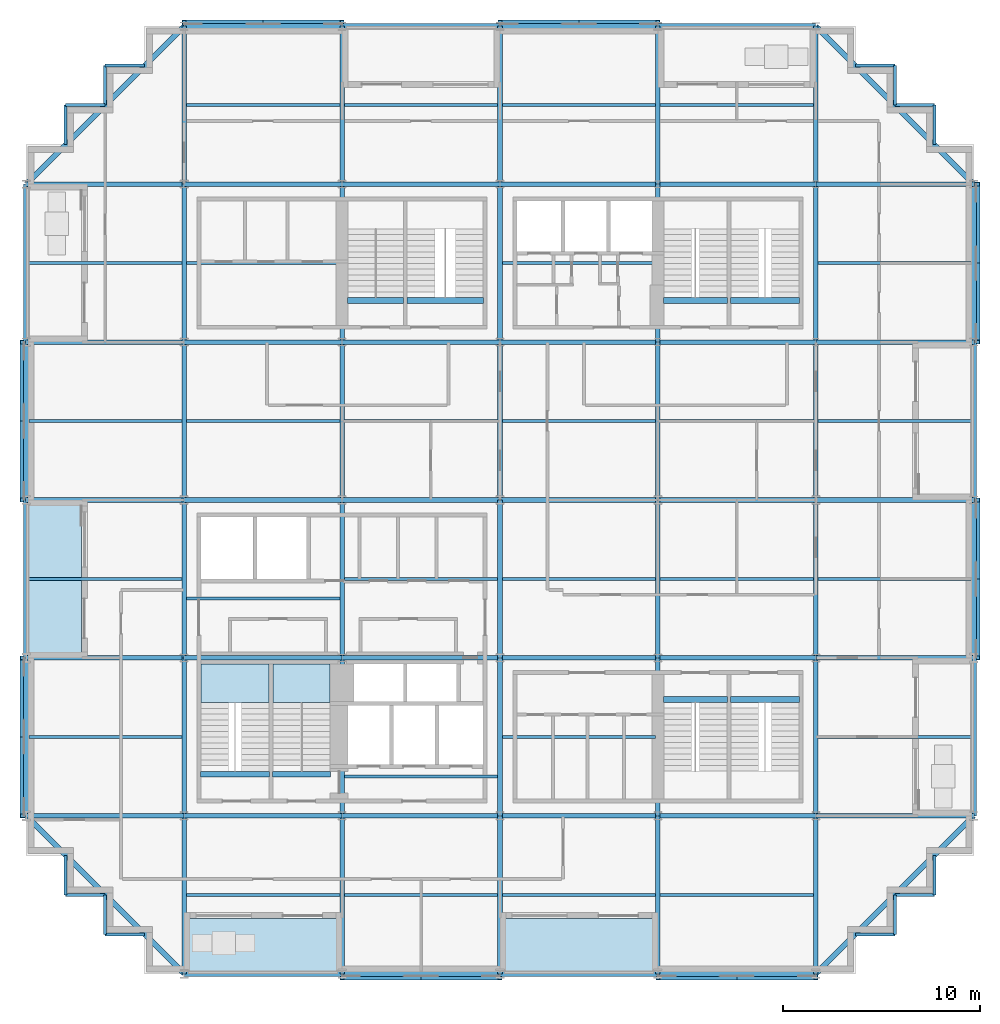
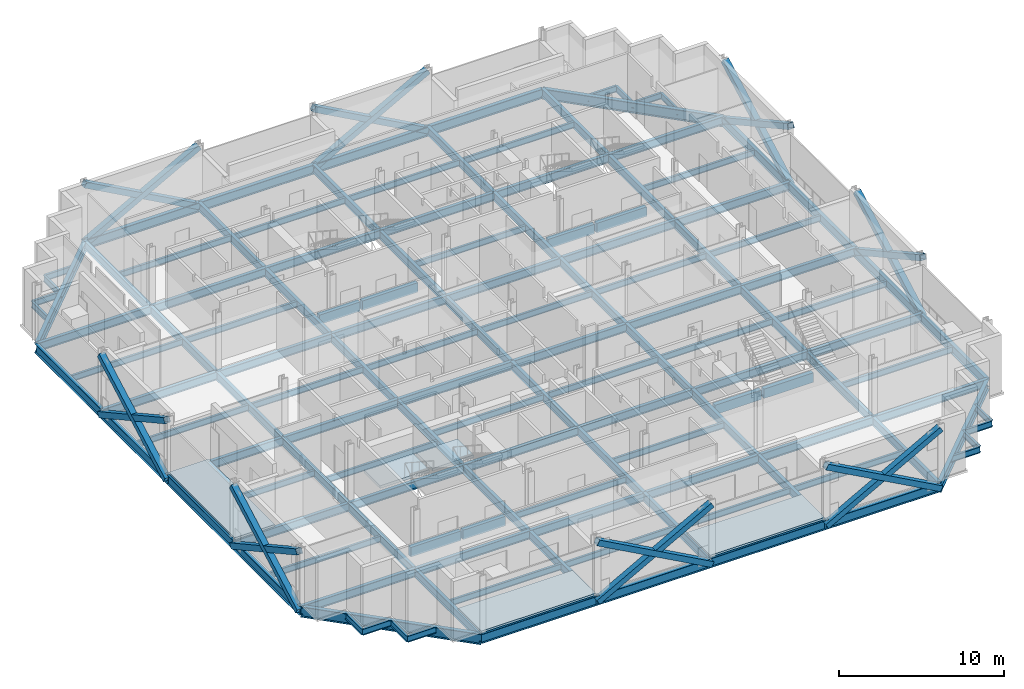
# One storey, part 4 of 15: 132 beams, 16 members, 5 slabs, 2 elements without a shape of their own.
"""IFC4 building model written with IfcOpenShell, lengths in metres."""

from ifc_helpers import new_model, si_unit, direction, frame, origin, origin_2d, place, context, subcontext, project, spatial, polyline, rectangle, hollow_rectangle, i_section, outline, extrude, material, layer, layer_set, material_profile, profile_set, type_object, element, aggregate, save


model = new_model("IFC4")

# Units and contexts
model_context = context("Model", 3, precision=1e-05, world=origin(), true_north=direction((0.0, 1.0)))
body_context = subcontext(model_context, "Body", "Model", "MODEL_VIEW")
ifc_project = project(units=[si_unit("LENGTHUNIT", "METRE"), si_unit("AREAUNIT", "SQUARE_METRE"), si_unit("VOLUMEUNIT", "CUBIC_METRE"), si_unit("PLANEANGLEUNIT", "RADIAN"), si_unit("MASSUNIT", "GRAM", prefix="KILO")], contexts=[model_context])

# Site, building, storey
site_placement = place(None, origin())
site = spatial("IfcSite", under=ifc_project, at=site_placement, CompositionType="ELEMENT")
building_placement = place(site_placement, origin())
building = spatial("IfcBuilding", under=site, at=building_placement, Name="Immortelle Media Tower", CompositionType="ELEMENT")
storey_placement = place(building_placement, frame((0.0, 0.0, 87.60009765625)))
storey = spatial("IfcBuildingStorey", under=building, at=storey_placement, Name="L16", CompositionType="ELEMENT", Elevation=87.60009765625)

# Members
ifc_material_1 = material(Name="Steel ASTM A500 Gr C", Category="steel")
ifc_material_profile_1 = material_profile(ifc_material_1, hollow_rectangle(XDim=0.406005859375, YDim=0.406005859375, WallThickness=0.014892578125, at=origin_2d()), Name="HSS16x16x5/8 brace")
ifc_profile_set_1 = profile_set([ifc_material_profile_1], Name="Steel ASTM A500 Gr C")
member_type = type_object("IfcMemberType", Name="HSS16x16x5/8 brace", PredefinedType="BRACE", material=ifc_profile_set_1)
for number, where, z_axis, x_axis, name in (
    (1, (-0.113037109375, 32.0, -0.49658203125), (0.0, -0.876220425204, 0.481910537812), (1.0, 0.0, 0.0), "Brace 1/D-E A"),
    (2, (-0.113037109375, 32.0, 3.9033203125), (0.0, -0.876220425204, -0.481910537812), (1.0, 0.0, 0.0), "Brace 1/D-E B"),
    (3, (-0.113037109375, 16.0, -0.49658203125), (0.0, -0.876220425204, 0.481910537812), (1.0, 0.0, 0.0), "Brace 1/B-C A"),
    (4, (-0.113037109375, 16.0, 3.9033203125), (0.0, -0.876220425204, -0.481910537812), (1.0, 0.0, 0.0), "Brace 1/B-C B"),
    (5, (16.0, -0.113037109375, -0.49658203125), (0.876220425204, 0.0, 0.481910537812), (0.0, 1.0, 0.0), "Brace A/3-4 A"),
    (6, (16.0, -0.113037109375, 3.9033203125), (0.876220425204, 0.0, -0.481910537812), (0.0, 1.0, 0.0), "Brace A/3-4 B"),
    (7, (32.0, -0.113037109375, -0.49658203125), (0.876220425204, 0.0, 0.481910537812), (0.0, 1.0, 0.0), "Brace A/5-6 A"),
    (8, (32.0, -0.113037109375, 3.9033203125), (0.876220425204, 0.0, -0.481910537812), (0.0, 1.0, 0.0), "Brace A/5-6 B"),
    (9, (48.113037109375, 16.0, -0.49658203125), (0.0, 0.876220425204, 0.481910537812), (-1.0, 0.0, 0.0), "Brace 7/C-D A"),
    (10, (48.113037109375, 16.0, 3.9033203125), (0.0, 0.876220425204, -0.481910537812), (-1.0, 0.0, 0.0), "Brace 7/C-D B"),
    (11, (48.113037109375, 32.0, -0.49658203125), (0.0, 0.876220425204, 0.481910537812), (-1.0, 0.0, 0.0), "Brace 7/E-F A"),
    (12, (48.113037109375, 32.0, 3.9033203125), (0.0, 0.876220425204, -0.481910537812), (-1.0, 0.0, 0.0), "Brace 7/E-F B"),
    (13, (32.0, 48.113037109375, -0.49658203125), (-0.876220425204, 0.0, 0.481910537812), (0.0, -1.0, 0.0), "Brace G/4-5 A"),
    (14, (32.0, 48.113037109375, 3.9033203125), (-0.876220425204, 0.0, -0.481910537812), (0.0, -1.0, 0.0), "Brace G/4-5 B"),
    (15, (16.0, 48.113037109375, -0.49658203125), (-0.876220425204, 0.0, 0.481910537812), (0.0, -1.0, 0.0), "Brace G/2-3 A"),
    (16, (16.0, 48.113037109375, 3.9033203125), (-0.876220425204, 0.0, -0.481910537812), (0.0, -1.0, 0.0), "Brace G/2-3 B"),
):
    element("IfcMember", number, at=place(storey_placement, frame(where, z_axis=z_axis, x_axis=x_axis)), inside=storey, type_object=member_type, Name=name, PredefinedType="BRACE", context=body_context, shape_type="SweptSolid", body=[
        extrude(hollow_rectangle(XDim=0.406005859375, YDim=0.406005859375, WallThickness=0.014892578125, at=origin_2d()), origin(), (0.0, 0.0, 1.0), 9.130126953125),
    ])

# Beams
ifc_material_2 = material(Name="Concrete C50/60", Category="concrete")
ifc_material_profile_2 = material_profile(ifc_material_2, rectangle(XDim=0.300048828125, YDim=0.699951171875, at=origin_2d()), Name="RC 300x700")
ifc_profile_set_2 = profile_set([ifc_material_profile_2], Name="Concrete C50/60")
beam_type_1 = type_object("IfcBeamType", Name="Stair trimmer beam 300 x 700", PredefinedType="BEAM", material=ifc_profile_set_2)
beam_1_placement = place(storey_placement, frame((8.830078125, 10.10498046875, -0.5), z_axis=(1.0, 0.0, 0.0), x_axis=(0.0, 1.0, 0.0)))
element("IfcBeam", 17, at=beam_1_placement, inside=storey, type_object=beam_type_1, Name="Stair trimmer beam SW1", PredefinedType="BEAM", context=body_context, shape_type="SweptSolid", body=[
    extrude(rectangle(XDim=0.300048828125, YDim=0.699951171875, at=origin_2d()), origin(), (0.0, 0.0, 1.0), 3.489990234375),
])
beam_2_placement = place(storey_placement, frame((12.47998046875, 10.10498046875, -0.5), z_axis=(1.0, 0.0, 0.0), x_axis=(0.0, 1.0, 0.0)))
element("IfcBeam", 18, at=beam_2_placement, inside=storey, type_object=beam_type_1, Name="Stair trimmer beam SW2", PredefinedType="BEAM", context=body_context, shape_type="SweptSolid", body=[
    extrude(rectangle(XDim=0.300048828125, YDim=0.699951171875, at=origin_2d()), origin(), (0.0, 0.0, 1.0), 2.93994140625),
])
beam_3_placement = place(storey_placement, frame((32.280029296875, 13.89501953125, -0.5), z_axis=(1.0, 0.0, 0.0), x_axis=(0.0, 1.0, 0.0)))
element("IfcBeam", 19, at=beam_3_placement, inside=storey, type_object=beam_type_1, Name="Stair trimmer beam SE1", PredefinedType="BEAM", context=body_context, shape_type="SweptSolid", body=[
    extrude(rectangle(XDim=0.300048828125, YDim=0.699951171875, at=origin_2d()), origin(), (0.0, 0.0, 1.0), 3.239990234375),
])
beam_4_placement = place(storey_placement, frame((35.679931640625, 13.89501953125, -0.5), z_axis=(1.0, 0.0, 0.0), x_axis=(0.0, 1.0, 0.0)))
element("IfcBeam", 20, at=beam_4_placement, inside=storey, type_object=beam_type_1, Name="Stair trimmer beam SE2", PredefinedType="BEAM", context=body_context, shape_type="SweptSolid", body=[
    extrude(rectangle(XDim=0.300048828125, YDim=0.699951171875, at=origin_2d()), origin(), (0.0, 0.0, 1.0), 3.489990234375),
])
beam_5_placement = place(storey_placement, frame((16.280029296875, 34.10498046875, -0.5), z_axis=(1.0, 0.0, 0.0), x_axis=(0.0, 1.0, 0.0)))
element("IfcBeam", 21, at=beam_5_placement, inside=storey, type_object=beam_type_1, Name="Stair trimmer beam NW1", PredefinedType="BEAM", context=body_context, shape_type="SweptSolid", body=[
    extrude(rectangle(XDim=0.300048828125, YDim=0.699951171875, at=origin_2d()), origin(), (0.0, 0.0, 1.0), 2.840087890625),
])
beam_6_placement = place(storey_placement, frame((19.280029296875, 34.10498046875, -0.5), z_axis=(1.0, 0.0, 0.0), x_axis=(0.0, 1.0, 0.0)))
element("IfcBeam", 22, at=beam_6_placement, inside=storey, type_object=beam_type_1, Name="Stair trimmer beam NW2", PredefinedType="BEAM", context=body_context, shape_type="SweptSolid", body=[
    extrude(rectangle(XDim=0.300048828125, YDim=0.699951171875, at=origin_2d()), origin(), (0.0, 0.0, 1.0), 3.889892578125),
])
beam_7_placement = place(storey_placement, frame((32.280029296875, 34.10498046875, -0.5), z_axis=(1.0, 0.0, 0.0), x_axis=(0.0, 1.0, 0.0)))
element("IfcBeam", 23, at=beam_7_placement, inside=storey, type_object=beam_type_1, Name="Stair trimmer beam NE1", PredefinedType="BEAM", context=body_context, shape_type="SweptSolid", body=[
    extrude(rectangle(XDim=0.300048828125, YDim=0.699951171875, at=origin_2d()), origin(), (0.0, 0.0, 1.0), 3.239990234375),
])
beam_8_placement = place(storey_placement, frame((35.679931640625, 34.10498046875, -0.5), z_axis=(1.0, 0.0, 0.0), x_axis=(0.0, 1.0, 0.0)))
element("IfcBeam", 24, at=beam_8_placement, inside=storey, type_object=beam_type_1, Name="Stair trimmer beam NE2", PredefinedType="BEAM", context=body_context, shape_type="SweptSolid", body=[
    extrude(rectangle(XDim=0.300048828125, YDim=0.699951171875, at=origin_2d()), origin(), (0.0, 0.0, 1.0), 3.489990234375),
])
ifc_material_3 = material(Name="Steel ASTM A992 Gr 50", Category="steel")
ifc_material_profile_3 = material_profile(ifc_material_3, i_section(OverallWidth=0.153076171875, OverallDepth=0.455078125, WebThickness=0.008056640625, FlangeThickness=0.012939453125, at=origin_2d()), Name="W18x40")
ifc_profile_set_3 = profile_set([ifc_material_profile_3], Name="Steel ASTM A992 Gr 50")
beam_type_2 = type_object("IfcBeamType", Name="W18x40 secondary beam", PredefinedType="JOIST", material=ifc_profile_set_3)
for number, where, z_axis, x_axis, name in (
    (25, (8.114501953125, 4.0, -0.377685546875), (1.0, 0.0, 0.0), (0.0, 1.0, 0.0), "Beam A-B/2-3"),
    (26, (16.114501953125, 4.0, -0.377685546875), (1.0, 0.0, 0.0), (0.0, 1.0, 0.0), "Beam A-B/3-4"),
    (27, (24.114501953125, 4.0, -0.377685546875), (1.0, 0.0, 0.0), (0.0, 1.0, 0.0), "Beam A-B/4-5"),
    (28, (32.114501953125, 4.0, -0.377685546875), (1.0, 0.0, 0.0), (0.0, 1.0, 0.0), "Beam A-B/5-6"),
):
    element("IfcBeam", number, at=place(storey_placement, frame(where, z_axis=z_axis, x_axis=x_axis)), inside=storey, type_object=beam_type_2, Name=name, PredefinedType="JOIST", context=body_context, shape_type="SweptSolid", body=[
        extrude(i_section(OverallWidth=0.153076171875, OverallDepth=0.455078125, WebThickness=0.008056640625, FlangeThickness=0.012939453125, at=origin_2d()), origin(), (0.0, 0.0, 1.0), 7.77099609375),
    ])
beam_9_placement = place(storey_placement, frame((0.12841796875, 12.0, -0.377685546875), z_axis=(1.0, 0.0, 0.0), x_axis=(0.0, 1.0, 0.0)))
element("IfcBeam", 29, at=beam_9_placement, inside=storey, type_object=beam_type_2, Name="Beam B-C/1-2", PredefinedType="JOIST", context=body_context, shape_type="SweptSolid", body=[
    extrude(i_section(OverallWidth=0.153076171875, OverallDepth=0.455078125, WebThickness=0.008056640625, FlangeThickness=0.012939453125, at=origin_2d()), origin(), (0.0, 0.0, 1.0), 7.757080078125),
])
for number, where, z_axis, x_axis, name in (
    (30, (16.114501953125, 10.0, -0.377685546875), (1.0, 0.0, 0.0), (0.0, 1.0, 0.0), "Beam B-C/3-4"),
    (31, (24.114501953125, 12.0, -0.377685546875), (1.0, 0.0, 0.0), (0.0, 1.0, 0.0), "Beam B-C/4-5"),
):
    element("IfcBeam", number, at=place(storey_placement, frame(where, z_axis=z_axis, x_axis=x_axis)), inside=storey, type_object=beam_type_2, Name=name, PredefinedType="JOIST", context=body_context, shape_type="SweptSolid", body=[
        extrude(i_section(OverallWidth=0.153076171875, OverallDepth=0.455078125, WebThickness=0.008056640625, FlangeThickness=0.012939453125, at=origin_2d()), origin(), (0.0, 0.0, 1.0), 7.77099609375),
    ])
for number, where, z_axis, x_axis, name in (
    (32, (40.114501953125, 12.0, -0.377685546875), (1.0, 0.0, 0.0), (0.0, 1.0, 0.0), "Beam B-C/6-7"),
    (33, (0.12841796875, 20.0, -0.377685546875), (1.0, 0.0, 0.0), (0.0, 1.0, 0.0), "Beam C-D/1-2"),
):
    element("IfcBeam", number, at=place(storey_placement, frame(where, z_axis=z_axis, x_axis=x_axis)), inside=storey, type_object=beam_type_2, Name=name, PredefinedType="JOIST", context=body_context, shape_type="SweptSolid", body=[
        extrude(i_section(OverallWidth=0.153076171875, OverallDepth=0.455078125, WebThickness=0.008056640625, FlangeThickness=0.012939453125, at=origin_2d()), origin(), (0.0, 0.0, 1.0), 7.757080078125),
    ])
for number, where, z_axis, x_axis, name in (
    (34, (8.114501953125, 19.0, -0.377685546875), (1.0, 0.0, 0.0), (0.0, 1.0, 0.0), "Beam C-D/2-3"),
    (35, (16.114501953125, 20.0, -0.377685546875), (1.0, 0.0, 0.0), (0.0, 1.0, 0.0), "Beam C-D/3-4"),
    (36, (24.114501953125, 20.0, -0.377685546875), (1.0, 0.0, 0.0), (0.0, 1.0, 0.0), "Beam C-D/4-5"),
    (37, (32.114501953125, 20.0, -0.377685546875), (1.0, 0.0, 0.0), (0.0, 1.0, 0.0), "Beam C-D/5-6"),
):
    element("IfcBeam", number, at=place(storey_placement, frame(where, z_axis=z_axis, x_axis=x_axis)), inside=storey, type_object=beam_type_2, Name=name, PredefinedType="JOIST", context=body_context, shape_type="SweptSolid", body=[
        extrude(i_section(OverallWidth=0.153076171875, OverallDepth=0.455078125, WebThickness=0.008056640625, FlangeThickness=0.012939453125, at=origin_2d()), origin(), (0.0, 0.0, 1.0), 7.77099609375),
    ])
for number, where, z_axis, x_axis, name in (
    (38, (40.114501953125, 20.0, -0.377685546875), (1.0, 0.0, 0.0), (0.0, 1.0, 0.0), "Beam C-D/6-7"),
    (39, (0.12841796875, 28.0, -0.377685546875), (1.0, 0.0, 0.0), (0.0, 1.0, 0.0), "Beam D-E/1-2"),
):
    element("IfcBeam", number, at=place(storey_placement, frame(where, z_axis=z_axis, x_axis=x_axis)), inside=storey, type_object=beam_type_2, Name=name, PredefinedType="JOIST", context=body_context, shape_type="SweptSolid", body=[
        extrude(i_section(OverallWidth=0.153076171875, OverallDepth=0.455078125, WebThickness=0.008056640625, FlangeThickness=0.012939453125, at=origin_2d()), origin(), (0.0, 0.0, 1.0), 7.757080078125),
    ])
for number, where, z_axis, x_axis, name in (
    (40, (8.114501953125, 28.0, -0.377685546875), (1.0, 0.0, 0.0), (0.0, 1.0, 0.0), "Beam D-E/2-3"),
    (41, (16.114501953125, 28.0, -0.377685546875), (1.0, 0.0, 0.0), (0.0, 1.0, 0.0), "Beam D-E/3-4"),
    (42, (24.114501953125, 28.0, -0.377685546875), (1.0, 0.0, 0.0), (0.0, 1.0, 0.0), "Beam D-E/4-5"),
    (43, (32.114501953125, 28.0, -0.377685546875), (1.0, 0.0, 0.0), (0.0, 1.0, 0.0), "Beam D-E/5-6"),
):
    element("IfcBeam", number, at=place(storey_placement, frame(where, z_axis=z_axis, x_axis=x_axis)), inside=storey, type_object=beam_type_2, Name=name, PredefinedType="JOIST", context=body_context, shape_type="SweptSolid", body=[
        extrude(i_section(OverallWidth=0.153076171875, OverallDepth=0.455078125, WebThickness=0.008056640625, FlangeThickness=0.012939453125, at=origin_2d()), origin(), (0.0, 0.0, 1.0), 7.77099609375),
    ])
for number, where, z_axis, x_axis, name in (
    (44, (40.114501953125, 28.0, -0.377685546875), (1.0, 0.0, 0.0), (0.0, 1.0, 0.0), "Beam D-E/6-7"),
    (45, (0.12841796875, 36.0, -0.377685546875), (1.0, 0.0, 0.0), (0.0, 1.0, 0.0), "Beam E-F/1-2"),
):
    element("IfcBeam", number, at=place(storey_placement, frame(where, z_axis=z_axis, x_axis=x_axis)), inside=storey, type_object=beam_type_2, Name=name, PredefinedType="JOIST", context=body_context, shape_type="SweptSolid", body=[
        extrude(i_section(OverallWidth=0.153076171875, OverallDepth=0.455078125, WebThickness=0.008056640625, FlangeThickness=0.012939453125, at=origin_2d()), origin(), (0.0, 0.0, 1.0), 7.757080078125),
    ])
for number, where, z_axis, x_axis, name in (
    (46, (8.114501953125, 36.0, -0.377685546875), (1.0, 0.0, 0.0), (0.0, 1.0, 0.0), "Beam E-F/2-3"),
    (47, (24.114501953125, 36.0, -0.377685546875), (1.0, 0.0, 0.0), (0.0, 1.0, 0.0), "Beam E-F/4-5"),
):
    element("IfcBeam", number, at=place(storey_placement, frame(where, z_axis=z_axis, x_axis=x_axis)), inside=storey, type_object=beam_type_2, Name=name, PredefinedType="JOIST", context=body_context, shape_type="SweptSolid", body=[
        extrude(i_section(OverallWidth=0.153076171875, OverallDepth=0.455078125, WebThickness=0.008056640625, FlangeThickness=0.012939453125, at=origin_2d()), origin(), (0.0, 0.0, 1.0), 7.77099609375),
    ])
beam_10_placement = place(storey_placement, frame((40.114501953125, 36.0, -0.377685546875), z_axis=(1.0, 0.0, 0.0), x_axis=(0.0, 1.0, 0.0)))
element("IfcBeam", 48, at=beam_10_placement, inside=storey, type_object=beam_type_2, Name="Beam E-F/6-7", PredefinedType="JOIST", context=body_context, shape_type="SweptSolid", body=[
    extrude(i_section(OverallWidth=0.153076171875, OverallDepth=0.455078125, WebThickness=0.008056640625, FlangeThickness=0.012939453125, at=origin_2d()), origin(), (0.0, 0.0, 1.0), 7.757080078125),
])
for number, where, z_axis, x_axis, name in (
    (49, (8.114501953125, 44.0, -0.377685546875), (1.0, 0.0, 0.0), (0.0, 1.0, 0.0), "Beam F-G/2-3"),
    (50, (16.114501953125, 44.0, -0.377685546875), (1.0, 0.0, 0.0), (0.0, 1.0, 0.0), "Beam F-G/3-4"),
    (51, (24.114501953125, 44.0, -0.377685546875), (1.0, 0.0, 0.0), (0.0, 1.0, 0.0), "Beam F-G/4-5"),
    (52, (32.114501953125, 44.0, -0.377685546875), (1.0, 0.0, 0.0), (0.0, 1.0, 0.0), "Beam F-G/5-6"),
):
    element("IfcBeam", number, at=place(storey_placement, frame(where, z_axis=z_axis, x_axis=x_axis)), inside=storey, type_object=beam_type_2, Name=name, PredefinedType="JOIST", context=body_context, shape_type="SweptSolid", body=[
        extrude(i_section(OverallWidth=0.153076171875, OverallDepth=0.455078125, WebThickness=0.008056640625, FlangeThickness=0.012939453125, at=origin_2d()), origin(), (0.0, 0.0, 1.0), 7.77099609375),
    ])
ifc_material_profile_4 = material_profile(ifc_material_3, i_section(OverallWidth=0.153076171875, OverallDepth=0.455078125, WebThickness=0.008056640625, FlangeThickness=0.012939453125, at=origin_2d()), Name="W18x40")
ifc_profile_set_4 = profile_set([ifc_material_profile_4], Name="Steel ASTM A992 Gr 50")
beam_type_3 = type_object("IfcBeamType", Name="W18x40 serration edge beam", PredefinedType="SPANDREL", material=ifc_profile_set_4)
for number, where, z_axis, x_axis, name in (
    (53, (6.0, 2.0, -0.377685546875), (-1.0, 0.0, 0.0), (0.0, -1.0, 0.0), "Corner edge beam 1 at 1/A"),
    (54, (4.0, 2.0, -0.377685546875), (0.0, 1.0, 0.0), (-1.0, 0.0, 0.0), "Corner edge beam 2 at 1/A"),
    (55, (4.0, 4.0, -0.377685546875), (-1.0, 0.0, 0.0), (0.0, -1.0, 0.0), "Corner edge beam 3 at 1/A"),
    (56, (2.0, 4.0, -0.377685546875), (0.0, 1.0, 0.0), (-1.0, 0.0, 0.0), "Corner edge beam 4 at 1/A"),
    (57, (2.0, 42.0, -0.377685546875), (0.0, 1.0, 0.0), (-1.0, 0.0, 0.0), "Corner edge beam 1 at 1/G"),
    (58, (2.0, 44.0, -0.377685546875), (1.0, 0.0, 0.0), (0.0, 1.0, 0.0), "Corner edge beam 2 at 1/G"),
    (59, (4.0, 44.0, -0.377685546875), (0.0, 1.0, 0.0), (-1.0, 0.0, 0.0), "Corner edge beam 3 at 1/G"),
    (60, (4.0, 46.0, -0.377685546875), (1.0, 0.0, 0.0), (0.0, 1.0, 0.0), "Corner edge beam 4 at 1/G"),
    (61, (46.0, 6.0, -0.377685546875), (0.0, -1.0, 0.0), (1.0, 0.0, 0.0), "Corner edge beam 1 at 7/A"),
    (62, (46.0, 4.0, -0.377685546875), (-1.0, 0.0, 0.0), (0.0, -1.0, 0.0), "Corner edge beam 2 at 7/A"),
    (63, (44.0, 4.0, -0.377685546875), (0.0, -1.0, 0.0), (1.0, 0.0, 0.0), "Corner edge beam 3 at 7/A"),
    (64, (44.0, 2.0, -0.377685546875), (-1.0, 0.0, 0.0), (0.0, -1.0, 0.0), "Corner edge beam 4 at 7/A"),
    (65, (42.0, 46.0, -0.377685546875), (1.0, 0.0, 0.0), (0.0, 1.0, 0.0), "Corner edge beam 1 at 7/G"),
    (66, (44.0, 46.0, -0.377685546875), (0.0, -1.0, 0.0), (1.0, 0.0, 0.0), "Corner edge beam 2 at 7/G"),
    (67, (44.0, 44.0, -0.377685546875), (1.0, 0.0, 0.0), (0.0, 1.0, 0.0), "Corner edge beam 3 at 7/G"),
    (68, (46.0, 44.0, -0.377685546875), (0.0, -1.0, 0.0), (1.0, 0.0, 0.0), "Corner edge beam 4 at 7/G"),
):
    element("IfcBeam", number, at=place(storey_placement, frame(where, z_axis=z_axis, x_axis=x_axis)), inside=storey, type_object=beam_type_3, Name=name, PredefinedType="SPANDREL", context=body_context, shape_type="SweptSolid", body=[
        extrude(i_section(OverallWidth=0.153076171875, OverallDepth=0.455078125, WebThickness=0.008056640625, FlangeThickness=0.012939453125, at=origin_2d()), origin(), (0.0, 0.0, 1.0), 2.0),
    ])
ifc_material_profile_5 = material_profile(ifc_material_3, i_section(OverallWidth=0.22900390625, OverallDepth=0.612060546875, WebThickness=0.011962890625, FlangeThickness=0.02001953125, at=origin_2d()), Name="W24x84")
ifc_profile_set_5 = profile_set([ifc_material_profile_5], Name="Steel ASTM A992 Gr 50")
beam_type_4 = type_object("IfcBeamType", Name="W24x84 girder", PredefinedType="BEAM", material=ifc_profile_set_5)
for number, where, z_axis, x_axis, name in (
    (69, (0.0, 8.0, -0.4560546875), (1.0, 0.0, 0.0), (0.0, 1.0, 0.0), "Girder B/1-2"),
    (70, (0.0, 16.0, -0.4560546875), (1.0, 0.0, 0.0), (0.0, 1.0, 0.0), "Girder C/1-2"),
    (71, (0.0, 24.0, -0.4560546875), (1.0, 0.0, 0.0), (0.0, 1.0, 0.0), "Girder D/1-2"),
    (72, (0.0, 32.0, -0.4560546875), (1.0, 0.0, 0.0), (0.0, 1.0, 0.0), "Girder E/1-2"),
    (73, (0.0, 40.0, -0.4560546875), (1.0, 0.0, 0.0), (0.0, 1.0, 0.0), "Girder F/1-2"),
    (74, (8.0, 0.0, -0.4560546875), (0.0, 1.0, 0.0), (-1.0, 0.0, 0.0), "Girder 2/A-B"),
    (75, (8.0, 8.0, -0.4560546875), (1.0, 0.0, 0.0), (0.0, 1.0, 0.0), "Girder B/2-3"),
    (76, (8.0, 8.0, -0.4560546875), (0.0, 1.0, 0.0), (-1.0, 0.0, 0.0), "Girder 2/B-C"),
    (77, (8.0, 16.0, -0.4560546875), (1.0, 0.0, 0.0), (0.0, 1.0, 0.0), "Girder C/2-3"),
    (78, (8.0, 16.0, -0.4560546875), (0.0, 1.0, 0.0), (-1.0, 0.0, 0.0), "Girder 2/C-D"),
    (79, (8.0, 24.0, -0.4560546875), (1.0, 0.0, 0.0), (0.0, 1.0, 0.0), "Girder D/2-3"),
    (80, (8.0, 24.0, -0.4560546875), (0.0, 1.0, 0.0), (-1.0, 0.0, 0.0), "Girder 2/D-E"),
    (81, (8.0, 32.0, -0.4560546875), (1.0, 0.0, 0.0), (0.0, 1.0, 0.0), "Girder E/2-3"),
    (82, (8.0, 32.0, -0.4560546875), (0.0, 1.0, 0.0), (-1.0, 0.0, 0.0), "Girder 2/E-F"),
    (83, (8.0, 40.0, -0.4560546875), (1.0, 0.0, 0.0), (0.0, 1.0, 0.0), "Girder F/2-3"),
    (84, (8.0, 40.0, -0.4560546875), (0.0, 1.0, 0.0), (-1.0, 0.0, 0.0), "Girder 2/F-G"),
    (85, (16.0, 0.0, -0.4560546875), (0.0, 1.0, 0.0), (-1.0, 0.0, 0.0), "Girder 3/A-B"),
    (86, (16.0, 8.0, -0.4560546875), (1.0, 0.0, 0.0), (0.0, 1.0, 0.0), "Girder B/3-4"),
    (87, (16.0, 8.0, -0.4560546875), (0.0, 1.0, 0.0), (-1.0, 0.0, 0.0), "Girder 3/B-C"),
    (88, (16.0, 16.0, -0.4560546875), (1.0, 0.0, 0.0), (0.0, 1.0, 0.0), "Girder C/3-4"),
    (89, (16.0, 16.0, -0.4560546875), (0.0, 1.0, 0.0), (-1.0, 0.0, 0.0), "Girder 3/C-D"),
    (90, (16.0, 24.0, -0.4560546875), (1.0, 0.0, 0.0), (0.0, 1.0, 0.0), "Girder D/3-4"),
    (91, (16.0, 24.0, -0.4560546875), (0.0, 1.0, 0.0), (-1.0, 0.0, 0.0), "Girder 3/D-E"),
    (92, (16.0, 32.0, -0.4560546875), (1.0, 0.0, 0.0), (0.0, 1.0, 0.0), "Girder E/3-4"),
    (93, (16.0, 32.0, -0.4560546875), (0.0, 1.0, 0.0), (-1.0, 0.0, 0.0), "Girder 3/E-F"),
    (94, (16.0, 40.0, -0.4560546875), (1.0, 0.0, 0.0), (0.0, 1.0, 0.0), "Girder F/3-4"),
    (95, (16.0, 40.0, -0.4560546875), (0.0, 1.0, 0.0), (-1.0, 0.0, 0.0), "Girder 3/F-G"),
    (96, (24.0, 0.0, -0.4560546875), (0.0, 1.0, 0.0), (-1.0, 0.0, 0.0), "Girder 4/A-B"),
    (97, (24.0, 8.0, -0.4560546875), (1.0, 0.0, 0.0), (0.0, 1.0, 0.0), "Girder B/4-5"),
    (98, (24.0, 8.0, -0.4560546875), (0.0, 1.0, 0.0), (-1.0, 0.0, 0.0), "Girder 4/B-C"),
    (99, (24.0, 16.0, -0.4560546875), (1.0, 0.0, 0.0), (0.0, 1.0, 0.0), "Girder C/4-5"),
    (100, (24.0, 16.0, -0.4560546875), (0.0, 1.0, 0.0), (-1.0, 0.0, 0.0), "Girder 4/C-D"),
    (101, (24.0, 24.0, -0.4560546875), (1.0, 0.0, 0.0), (0.0, 1.0, 0.0), "Girder D/4-5"),
    (102, (24.0, 24.0, -0.4560546875), (0.0, 1.0, 0.0), (-1.0, 0.0, 0.0), "Girder 4/D-E"),
    (103, (24.0, 32.0, -0.4560546875), (1.0, 0.0, 0.0), (0.0, 1.0, 0.0), "Girder E/4-5"),
    (104, (24.0, 32.0, -0.4560546875), (0.0, 1.0, 0.0), (-1.0, 0.0, 0.0), "Girder 4/E-F"),
    (105, (24.0, 40.0, -0.4560546875), (1.0, 0.0, 0.0), (0.0, 1.0, 0.0), "Girder F/4-5"),
    (106, (24.0, 40.0, -0.4560546875), (0.0, 1.0, 0.0), (-1.0, 0.0, 0.0), "Girder 4/F-G"),
    (107, (32.0, 0.0, -0.4560546875), (0.0, 1.0, 0.0), (-1.0, 0.0, 0.0), "Girder 5/A-B"),
    (108, (32.0, 8.0, -0.4560546875), (1.0, 0.0, 0.0), (0.0, 1.0, 0.0), "Girder B/5-6"),
    (109, (32.0, 8.0, -0.4560546875), (0.0, 1.0, 0.0), (-1.0, 0.0, 0.0), "Girder 5/B-C"),
    (110, (32.0, 16.0, -0.4560546875), (1.0, 0.0, 0.0), (0.0, 1.0, 0.0), "Girder C/5-6"),
    (111, (32.0, 16.0, -0.4560546875), (0.0, 1.0, 0.0), (-1.0, 0.0, 0.0), "Girder 5/C-D"),
    (112, (32.0, 24.0, -0.4560546875), (1.0, 0.0, 0.0), (0.0, 1.0, 0.0), "Girder D/5-6"),
    (113, (32.0, 24.0, -0.4560546875), (0.0, 1.0, 0.0), (-1.0, 0.0, 0.0), "Girder 5/D-E"),
    (114, (32.0, 32.0, -0.4560546875), (1.0, 0.0, 0.0), (0.0, 1.0, 0.0), "Girder E/5-6"),
    (115, (32.0, 32.0, -0.4560546875), (0.0, 1.0, 0.0), (-1.0, 0.0, 0.0), "Girder 5/E-F"),
    (116, (32.0, 40.0, -0.4560546875), (1.0, 0.0, 0.0), (0.0, 1.0, 0.0), "Girder F/5-6"),
    (117, (32.0, 40.0, -0.4560546875), (0.0, 1.0, 0.0), (-1.0, 0.0, 0.0), "Girder 5/F-G"),
    (118, (40.0, 0.0, -0.4560546875), (0.0, 1.0, 0.0), (-1.0, 0.0, 0.0), "Girder 6/A-B"),
    (119, (40.0, 8.0, -0.4560546875), (1.0, 0.0, 0.0), (0.0, 1.0, 0.0), "Girder B/6-7"),
    (120, (40.0, 8.0, -0.4560546875), (0.0, 1.0, 0.0), (-1.0, 0.0, 0.0), "Girder 6/B-C"),
    (121, (40.0, 16.0, -0.4560546875), (1.0, 0.0, 0.0), (0.0, 1.0, 0.0), "Girder C/6-7"),
    (122, (40.0, 16.0, -0.4560546875), (0.0, 1.0, 0.0), (-1.0, 0.0, 0.0), "Girder 6/C-D"),
    (123, (40.0, 24.0, -0.4560546875), (1.0, 0.0, 0.0), (0.0, 1.0, 0.0), "Girder D/6-7"),
    (124, (40.0, 24.0, -0.4560546875), (0.0, 1.0, 0.0), (-1.0, 0.0, 0.0), "Girder 6/D-E"),
    (125, (40.0, 32.0, -0.4560546875), (1.0, 0.0, 0.0), (0.0, 1.0, 0.0), "Girder E/6-7"),
    (126, (40.0, 32.0, -0.4560546875), (0.0, 1.0, 0.0), (-1.0, 0.0, 0.0), "Girder 6/E-F"),
    (127, (40.0, 40.0, -0.4560546875), (1.0, 0.0, 0.0), (0.0, 1.0, 0.0), "Girder F/6-7"),
    (128, (40.0, 40.0, -0.4560546875), (0.0, 1.0, 0.0), (-1.0, 0.0, 0.0), "Girder 6/F-G"),
):
    element("IfcBeam", number, at=place(storey_placement, frame(where, z_axis=z_axis, x_axis=x_axis)), inside=storey, type_object=beam_type_4, Name=name, PredefinedType="BEAM", context=body_context, shape_type="SweptSolid", body=[
        extrude(i_section(OverallWidth=0.22900390625, OverallDepth=0.612060546875, WebThickness=0.011962890625, FlangeThickness=0.02001953125, at=origin_2d()), origin(), (0.0, 0.0, 1.0), 8.0),
    ])
ifc_material_profile_6 = material_profile(ifc_material_3, i_section(OverallWidth=0.257080078125, OverallDepth=0.693115234375, WebThickness=0.013916015625, FlangeThickness=0.02392578125, at=origin_2d()), Name="W27x114")
ifc_profile_set_6 = profile_set([ifc_material_profile_6], Name="Steel ASTM A992 Gr 50")
beam_type_5 = type_object("IfcBeamType", Name="W27x114 perimeter girder", PredefinedType="SPANDREL", material=ifc_profile_set_6)
for number, where, z_axis, x_axis, name in (
    (129, (0.0, 8.0, -0.49658203125), (0.0, 1.0, 0.0), (-1.0, 0.0, 0.0), "Girder 1/B-C"),
    (130, (0.0, 16.0, -0.49658203125), (0.0, 1.0, 0.0), (-1.0, 0.0, 0.0), "Girder 1/C-D"),
    (131, (0.0, 24.0, -0.49658203125), (0.0, 1.0, 0.0), (-1.0, 0.0, 0.0), "Girder 1/D-E"),
    (132, (0.0, 32.0, -0.49658203125), (0.0, 1.0, 0.0), (-1.0, 0.0, 0.0), "Girder 1/E-F"),
    (133, (8.0, 0.0, -0.49658203125), (1.0, 0.0, 0.0), (0.0, 1.0, 0.0), "Girder A/2-3"),
    (134, (8.0, 48.0, -0.49658203125), (1.0, 0.0, 0.0), (0.0, 1.0, 0.0), "Girder G/2-3"),
    (135, (16.0, 0.0, -0.49658203125), (1.0, 0.0, 0.0), (0.0, 1.0, 0.0), "Girder A/3-4"),
    (136, (16.0, 48.0, -0.49658203125), (1.0, 0.0, 0.0), (0.0, 1.0, 0.0), "Girder G/3-4"),
    (137, (24.0, 0.0, -0.49658203125), (1.0, 0.0, 0.0), (0.0, 1.0, 0.0), "Girder A/4-5"),
    (138, (24.0, 48.0, -0.49658203125), (1.0, 0.0, 0.0), (0.0, 1.0, 0.0), "Girder G/4-5"),
    (139, (32.0, 0.0, -0.49658203125), (1.0, 0.0, 0.0), (0.0, 1.0, 0.0), "Girder A/5-6"),
    (140, (32.0, 48.0, -0.49658203125), (1.0, 0.0, 0.0), (0.0, 1.0, 0.0), "Girder G/5-6"),
    (141, (48.0, 8.0, -0.49658203125), (0.0, 1.0, 0.0), (-1.0, 0.0, 0.0), "Girder 7/B-C"),
    (142, (48.0, 16.0, -0.49658203125), (0.0, 1.0, 0.0), (-1.0, 0.0, 0.0), "Girder 7/C-D"),
    (143, (48.0, 24.0, -0.49658203125), (0.0, 1.0, 0.0), (-1.0, 0.0, 0.0), "Girder 7/D-E"),
    (144, (48.0, 32.0, -0.49658203125), (0.0, 1.0, 0.0), (-1.0, 0.0, 0.0), "Girder 7/E-F"),
):
    element("IfcBeam", number, at=place(storey_placement, frame(where, z_axis=z_axis, x_axis=x_axis)), inside=storey, type_object=beam_type_5, Name=name, PredefinedType="SPANDREL", context=body_context, shape_type="SweptSolid", body=[
        extrude(i_section(OverallWidth=0.257080078125, OverallDepth=0.693115234375, WebThickness=0.013916015625, FlangeThickness=0.02392578125, at=origin_2d()), origin(), (0.0, 0.0, 1.0), 8.0),
    ])
ifc_material_profile_7 = material_profile(ifc_material_3, i_section(OverallWidth=0.26708984375, OverallDepth=0.780029296875, WebThickness=0.01708984375, FlangeThickness=0.030029296875, at=origin_2d()), Name="W30x148")
ifc_profile_set_7 = profile_set([ifc_material_profile_7], Name="Steel ASTM A992 Gr 50")
beam_type_6 = type_object("IfcBeamType", Name="W30x148 corner girder", PredefinedType="SPANDREL", material=ifc_profile_set_7)
for number, where, z_axis, x_axis, name in (
    (145, (8.0, 0.0, -0.5400390625), (-0.707106781187, 0.707106781187, 0.0), (-0.707106781187, -0.707106781187, 0.0), "Corner girder at 1/A"),
    (146, (0.0, 40.0, -0.5400390625), (0.707106781187, 0.707106781187, 0.0), (-0.707106781187, 0.707106781187, 0.0), "Corner girder at 1/G"),
    (147, (48.0, 8.0, -0.5400390625), (-0.707106781187, -0.707106781187, 0.0), (0.707106781187, -0.707106781187, 0.0), "Corner girder at 7/A"),
    (148, (40.0, 48.0, -0.5400390625), (0.707106781187, -0.707106781187, 0.0), (0.707106781187, 0.707106781187, 0.0), "Corner girder at 7/G"),
):
    element("IfcBeam", number, at=place(storey_placement, frame(where, z_axis=z_axis, x_axis=x_axis)), inside=storey, type_object=beam_type_6, Name=name, PredefinedType="SPANDREL", context=body_context, shape_type="SweptSolid", body=[
        extrude(i_section(OverallWidth=0.26708984375, OverallDepth=0.780029296875, WebThickness=0.01708984375, FlangeThickness=0.030029296875, at=origin_2d()), origin(), (0.0, 0.0, 1.0), 11.313720703125),
    ])

# Slabs
ifc_material_4 = material(Name="Concrete C50/60 composite deck", Category="concrete")
ifc_layer_1 = layer(ifc_material_4, 0.14990234375)
ifc_layer_set_1 = layer_set([ifc_layer_1], Name="Concrete C50/60 composite deck")
slab_type_1 = type_object("IfcSlabType", Name="Balcony slab 150", PredefinedType="FLOOR", material=ifc_layer_set_1)
slab_1_placement = place(storey_placement, frame((0.0, 0.0, -0.150146484375)))
element("IfcSlab", 149, at=slab_1_placement, inside=storey, type_object=slab_type_1, Name="Balcony slab L16 W2", PredefinedType="FLOOR", context=body_context, shape_type="SweptSolid", body=[
    extrude(outline(polyline([(2.800048828125, 16.0), (2.800048828125, 24.0), (0.0, 24.0), (0.0, 16.0), (2.800048828125, 16.0)])), origin(), (0.0, 0.0, 1.0), 0.150146484375),
])
slab_2_placement = place(storey_placement, frame((0.0, 0.0, -0.150146484375)))
element("IfcSlab", 150, at=slab_2_placement, inside=storey, type_object=slab_type_1, Name="Balcony slab L16 S0", PredefinedType="FLOOR", context=body_context, shape_type="SweptSolid", body=[
    extrude(outline(polyline([(16.0, 0.0), (16.0, 2.800048828125), (8.0, 2.800048828125), (8.0, 0.0), (16.0, 0.0)])), origin(), (0.0, 0.0, 1.0), 0.150146484375),
])
slab_3_placement = place(storey_placement, frame((0.0, 0.0, -0.150146484375)))
element("IfcSlab", 151, at=slab_3_placement, inside=storey, type_object=slab_type_1, Name="Balcony slab L16 S2", PredefinedType="FLOOR", context=body_context, shape_type="SweptSolid", body=[
    extrude(outline(polyline([(32.0, 0.0), (32.0, 2.800048828125), (24.0, 2.800048828125), (24.0, 0.0), (32.0, 0.0)])), origin(), (0.0, 0.0, 1.0), 0.150146484375),
])

# Stair, slab
stair_type = type_object("IfcStairType", Name="Stair with flights", PredefinedType="DOUBLE_RETURN_STAIR", material=ifc_material_3)
stair_1_placement = place(storey_placement, origin())
stair_1 = element("IfcStair", 152, at=stair_1_placement, inside=storey, type_object=stair_type, Name="Exit stair SW1", PredefinedType="DOUBLE_RETURN_STAIR")
ifc_material_5 = material(Name="Steel ASTM A572 Gr 50", Category="steel")
ifc_layer_2 = layer(ifc_material_5, 0.199951171875)
ifc_layer_set_2 = layer_set([ifc_layer_2], Name="Steel ASTM A572 Gr 50")
slab_type_2 = type_object("IfcSlabType", Name="Stair landing 200", PredefinedType="LANDING", material=ifc_layer_set_2)
slab_4_placement = place(storey_placement, frame((0.0, 0.0, 1.911865234375)))
slab_4 = element("IfcSlab", 153, at=slab_4_placement, type_object=slab_type_2, Name="ST SW1 landing 1", PredefinedType="LANDING", context=body_context, shape_type="SweptSolid", body=[
    extrude(outline(polyline([(8.85009765625, 13.72998046875), (12.300048828125, 13.72998046875), (12.300048828125, 15.699951171875), (8.85009765625, 15.699951171875), (8.85009765625, 13.72998046875)])), origin(), (0.0, 0.0, 1.0), 0.199951171875),
])
aggregate(stair_1, [slab_4])

stair_2_placement = place(storey_placement, origin())
stair_2 = element("IfcStair", 154, at=stair_2_placement, inside=storey, type_object=stair_type, Name="Exit stair SW2", PredefinedType="DOUBLE_RETURN_STAIR")
slab_5_placement = place(storey_placement, frame((0.0, 0.0, 1.911865234375)))
slab_5 = element("IfcSlab", 155, at=slab_5_placement, type_object=slab_type_2, Name="ST SW2 landing 1", PredefinedType="LANDING", context=body_context, shape_type="SweptSolid", body=[
    extrude(outline(polyline([(12.5, 13.72998046875), (15.39990234375, 13.72998046875), (15.39990234375, 15.699951171875), (12.5, 15.699951171875), (12.5, 13.72998046875)])), origin(), (0.0, 0.0, 1.0), 0.199951171875),
])
aggregate(stair_2, [slab_5])

save(model, "model.ifc")
